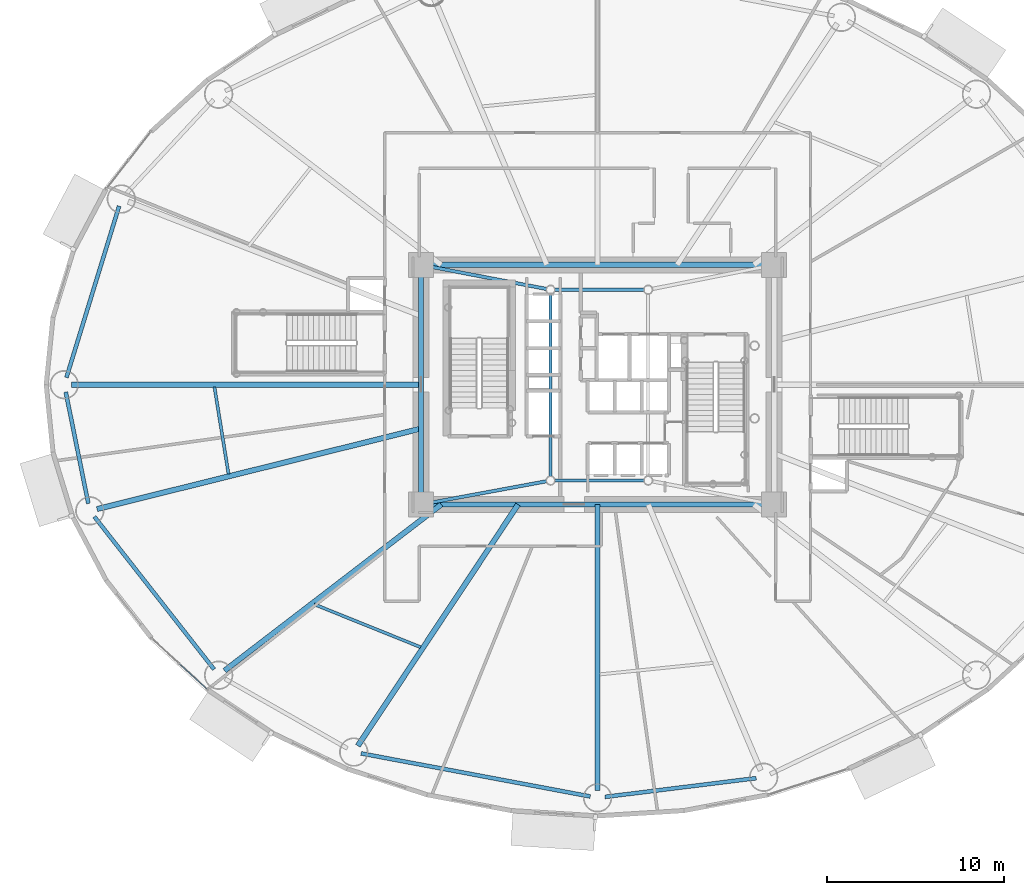
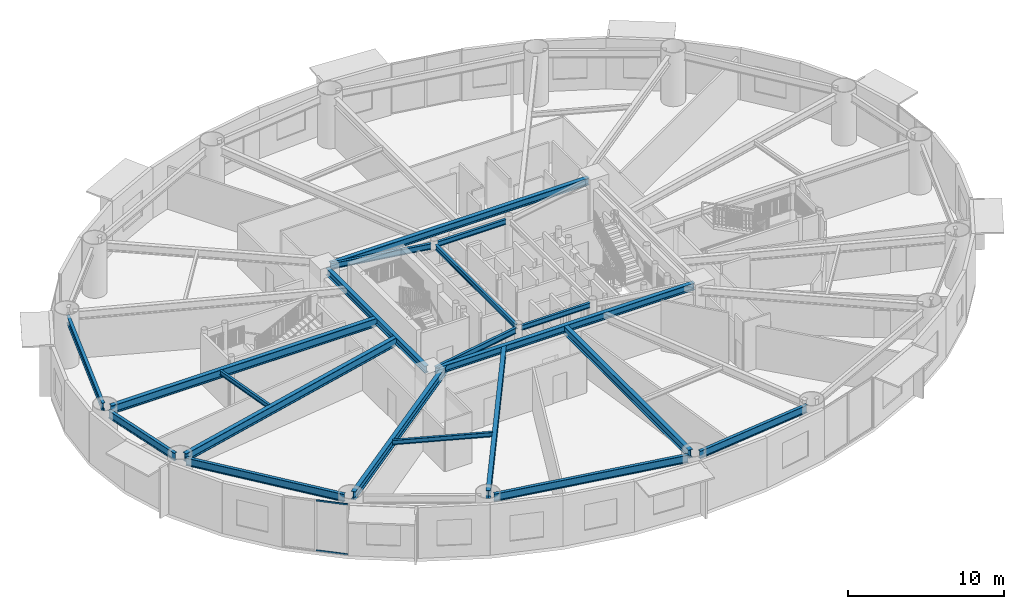
# One storey, part 5 of 29: 20 beams, 2 members, 1 element without a shape of its own.
"""IFC4 building model written with IfcOpenShell, lengths in metres."""

from ifc_helpers import new_model, si_unit, direction, frame, origin, origin_2d, place, context, subcontext, project, spatial, hollow_rectangle, i_section, extrude, source, transform, mapped, material, layer, layer_set, material_profile, profile_set, type_object, element, aggregate, save


model = new_model("IFC4")

# Units and contexts
model_context = context("Model", 3, precision=1e-05, world=origin(), true_north=direction((0.0, 1.0)))
body_context = subcontext(model_context, "Body", "Model", "MODEL_VIEW")
ifc_project = project(units=[si_unit("LENGTHUNIT", "METRE"), si_unit("AREAUNIT", "SQUARE_METRE"), si_unit("VOLUMEUNIT", "CUBIC_METRE"), si_unit("PLANEANGLEUNIT", "RADIAN"), si_unit("MASSUNIT", "GRAM", prefix="KILO")], contexts=[model_context])

# Site, building, storey
site_placement = place(None, origin())
site = spatial("IfcSite", under=ifc_project, at=site_placement, CompositionType="ELEMENT")
building_placement = place(site_placement, origin())
building = spatial("IfcBuilding", under=site, at=building_placement, Name="Linh Dai School and Residence Tower", CompositionType="ELEMENT")
storey_placement = place(building_placement, frame((0.0, 0.0, 45.0)))
storey = spatial("IfcBuildingStorey", under=building, at=storey_placement, Name="L10", CompositionType="ELEMENT", Elevation=45.0)

# Beams
ifc_material_1 = material(Name="Structural Steel S355JR", Category="steel")
ifc_material_profile_1 = material_profile(ifc_material_1, i_section(OverallWidth=0.219970703125, OverallDepth=0.60009765625, WebThickness=0.011962890625, FlangeThickness=0.01904296875, FilletRadius=0.02392578125, at=origin_2d()), Name="IPE 600")
ifc_profile_set_1 = profile_set([ifc_material_profile_1], Name="Structural Steel S355JR")
beam_type_1 = type_object("IfcBeamType", Name="BM-RB60", PredefinedType="BEAM", material=ifc_profile_set_1)
beam_1_placement = place(storey_placement, frame((9.041259765625, 37.062255859375, 3.64990234375), z_axis=(-0.293673329015, -0.95590584046, 0.0), x_axis=(0.95590584046, -0.293673329015, 0.0)))
element("IfcBeam", 1, at=beam_1_placement, inside=storey, type_object=beam_type_1, Name="L10 Perimeter Elliptical Ring Beam 08", PredefinedType="BEAM", context=body_context, shape_type="SweptSolid", body=[
    extrude(i_section(OverallWidth=0.219970703125, OverallDepth=0.60009765625, WebThickness=0.011962890625, FlangeThickness=0.01904296875, FilletRadius=0.02392578125, at=origin_2d()), origin(), (0.0, 0.0, 1.0), 10.1064453125),
])
beam_2_placement = place(storey_placement, frame((6.033447265625, 26.58837890625, 3.64990234375), z_axis=(0.198429171022, -0.980115230005, 0.0), x_axis=(0.980115230005, 0.198429171022, 0.0)))
element("IfcBeam", 2, at=beam_2_placement, inside=storey, type_object=beam_type_1, Name="L10 Perimeter Elliptical Ring Beam 09", PredefinedType="BEAM", context=body_context, shape_type="SweptSolid", body=[
    extrude(i_section(OverallWidth=0.219970703125, OverallDepth=0.60009765625, WebThickness=0.011962890625, FlangeThickness=0.01904296875, FilletRadius=0.02392578125, at=origin_2d()), origin(), (0.0, 0.0, 1.0), 6.41259765625),
])
beam_3_placement = place(storey_placement, frame((7.648193359375, 19.560791015625, 3.64990234375), z_axis=(0.616878670407, -0.787058260866, 0.0), x_axis=(0.787058260866, 0.616878670407, 0.0)))
element("IfcBeam", 3, at=beam_3_placement, inside=storey, type_object=beam_type_1, Name="L10 Perimeter Elliptical Ring Beam 10", PredefinedType="BEAM", context=body_context, shape_type="SweptSolid", body=[
    extrude(i_section(OverallWidth=0.219970703125, OverallDepth=0.60009765625, WebThickness=0.011962890625, FlangeThickness=0.01904296875, FilletRadius=0.02392578125, at=origin_2d()), origin(), (0.0, 0.0, 1.0), 10.926025390625),
])
beam_4_placement = place(storey_placement, frame((22.67431640625, 6.223388671875, 3.64990234375), z_axis=(0.982808389171, -0.184628465236, 0.0), x_axis=(0.184628465236, 0.982808389171, 0.0)))
element("IfcBeam", 4, at=beam_4_placement, inside=storey, type_object=beam_type_1, Name="L10 Perimeter Elliptical Ring Beam 12", PredefinedType="BEAM", context=body_context, shape_type="SweptSolid", body=[
    extrude(i_section(OverallWidth=0.219970703125, OverallDepth=0.60009765625, WebThickness=0.011962890625, FlangeThickness=0.01904296875, FilletRadius=0.02392578125, at=origin_2d()), origin(), (0.0, 0.0, 1.0), 13.138671875),
])
beam_5_placement = place(storey_placement, frame((36.416748046875, 3.771728515625, 3.64990234375), z_axis=(0.99240113372, 0.123044665842, 0.0), x_axis=(-0.123044665842, 0.99240113372, 0.0)))
element("IfcBeam", 5, at=beam_5_placement, inside=storey, type_object=beam_type_1, Name="L10 Perimeter Elliptical Ring Beam 13", PredefinedType="BEAM", context=body_context, shape_type="SweptSolid", body=[
    extrude(i_section(OverallWidth=0.219970703125, OverallDepth=0.60009765625, WebThickness=0.011962890625, FlangeThickness=0.01904296875, FilletRadius=0.02392578125, at=origin_2d()), origin(), (0.0, 0.0, 1.0), 8.58935546875),
])
ifc_material_profile_2 = material_profile(ifc_material_1, i_section(OverallWidth=0.300048828125, OverallDepth=0.550048828125, WebThickness=0.014892578125, FlangeThickness=0.029052734375, FilletRadius=0.027099609375, at=origin_2d()), Name="HEB 550")
ifc_profile_set_2 = profile_set([ifc_material_profile_2], Name="Structural Steel S355JR")
beam_type_2 = type_object("IfcBeamType", Name="BM-RG55", PredefinedType="BEAM", material=ifc_profile_set_2)
for number, where, z_axis, x_axis, name in (
    (6, (26.469970703125, 20.25, 3.675048828125), (1.0, 0.0, 0.0), (0.0, 1.0, 0.0), "L10 Core Perimeter Coupling Girder 1"),
    (7, (45.530029296875, 33.75, 3.675048828125), (-1.0, 0.0, 0.0), (0.0, -1.0, 0.0), "L10 Core Perimeter Coupling Girder 3"),
):
    element("IfcBeam", number, at=place(storey_placement, frame(where, z_axis=z_axis, x_axis=x_axis)), inside=storey, type_object=beam_type_2, Name=name, PredefinedType="BEAM", context=body_context, shape_type="SweptSolid", body=[
        extrude(i_section(OverallWidth=0.300048828125, OverallDepth=0.550048828125, WebThickness=0.014892578125, FlangeThickness=0.029052734375, FilletRadius=0.027099609375, at=origin_2d()), origin(), (0.0, 0.0, 1.0), 19.06005859375),
    ])
beam_6_placement = place(storey_placement, frame((26.050048828125, 33.330078125, 3.675048828125), z_axis=(0.0, -1.0, 0.0), x_axis=(1.0, 0.0, 0.0)))
element("IfcBeam", 8, at=beam_6_placement, inside=storey, type_object=beam_type_2, Name="L10 Core Perimeter Coupling Girder 4", PredefinedType="BEAM", context=body_context, shape_type="SweptSolid", body=[
    extrude(i_section(OverallWidth=0.300048828125, OverallDepth=0.550048828125, WebThickness=0.014892578125, FlangeThickness=0.029052734375, FilletRadius=0.027099609375, at=origin_2d()), origin(), (0.0, 0.0, 1.0), 12.66015625),
])
ifc_material_profile_3 = material_profile(ifc_material_1, i_section(OverallWidth=0.300048828125, OverallDepth=0.64990234375, WebThickness=0.01611328125, FlangeThickness=0.031005859375, FilletRadius=0.027099609375, at=origin_2d()), Name="HEB 650")
ifc_profile_set_3 = profile_set([ifc_material_profile_3], Name="Structural Steel S355JR")
beam_type_3 = type_object("IfcBeamType", Name="BM-RG65", PredefinedType="BEAM", material=ifc_profile_set_3)
beam_7_placement = place(storey_placement, frame((26.050048828125, 27.0, 3.625), z_axis=(-1.0, 0.0, 0.0), x_axis=(0.0, -1.0, 0.0)))
element("IfcBeam", 9, at=beam_7_placement, inside=storey, type_object=beam_type_3, Name="L10 Primary Radial Floor Girder 09", PredefinedType="BEAM", context=body_context, shape_type="SweptSolid", body=[
    extrude(i_section(OverallWidth=0.300048828125, OverallDepth=0.64990234375, WebThickness=0.01611328125, FlangeThickness=0.031005859375, FilletRadius=0.027099609375, at=origin_2d()), origin(), (0.0, 0.0, 1.0), 19.679931640625),
])
beam_8_placement = place(storey_placement, frame((26.050048828125, 24.52783203125, 3.625), z_axis=(-0.970493481328, -0.241127357843, 0.0), x_axis=(0.241127357843, -0.970493481328, 0.0)))
element("IfcBeam", 10, at=beam_8_placement, inside=storey, type_object=beam_type_3, Name="L10 Primary Radial Floor Girder 10", PredefinedType="BEAM", context=body_context, shape_type="SweptSolid", body=[
    extrude(i_section(OverallWidth=0.300048828125, OverallDepth=0.64990234375, WebThickness=0.01611328125, FlangeThickness=0.031005859375, FilletRadius=0.027099609375, at=origin_2d()), origin(), (0.0, 0.0, 1.0), 18.80810546875),
])
beam_9_placement = place(storey_placement, frame((27.195068359375, 20.25, 3.625), z_axis=(-0.793637764155, -0.608390581212, 0.0), x_axis=(0.608390581212, -0.793637764155, 0.0)))
element("IfcBeam", 11, at=beam_9_placement, inside=storey, type_object=beam_type_3, Name="L10 Primary Radial Floor Girder 11", PredefinedType="BEAM", context=body_context, shape_type="SweptSolid", body=[
    extrude(i_section(OverallWidth=0.300048828125, OverallDepth=0.64990234375, WebThickness=0.01611328125, FlangeThickness=0.031005859375, FilletRadius=0.027099609375, at=origin_2d()), origin(), (0.0, 0.0, 1.0), 15.390625),
])
beam_10_placement = place(storey_placement, frame((31.52001953125, 20.25, 3.625), z_axis=(-0.55300421354, -0.833178456158, 0.0), x_axis=(0.833178456158, -0.55300421354, 0.0)))
element("IfcBeam", 12, at=beam_10_placement, inside=storey, type_object=beam_type_3, Name="L10 Primary Radial Floor Girder 12", PredefinedType="BEAM", context=body_context, shape_type="SweptSolid", body=[
    extrude(i_section(OverallWidth=0.300048828125, OverallDepth=0.64990234375, WebThickness=0.01611328125, FlangeThickness=0.031005859375, FilletRadius=0.027099609375, at=origin_2d()), origin(), (0.0, 0.0, 1.0), 16.322021484375),
])
beam_11_placement = place(storey_placement, frame((36.0, 20.25, 3.625), z_axis=(0.0, -1.0, 0.0), x_axis=(1.0, 0.0, 0.0)))
element("IfcBeam", 13, at=beam_11_placement, inside=storey, type_object=beam_type_3, Name="L10 Primary Radial Floor Girder 13", PredefinedType="BEAM", context=body_context, shape_type="SweptSolid", body=[
    extrude(i_section(OverallWidth=0.300048828125, OverallDepth=0.64990234375, WebThickness=0.01611328125, FlangeThickness=0.031005859375, FilletRadius=0.027099609375, at=origin_2d()), origin(), (0.0, 0.0, 1.0), 16.110107421875),
])
ifc_material_profile_4 = material_profile(ifc_material_1, i_section(OverallWidth=0.169921875, OverallDepth=0.360107421875, WebThickness=0.008056640625, FlangeThickness=0.0126953125, FilletRadius=0.01806640625, at=origin_2d()), Name="IPE 360")
ifc_profile_set_4 = profile_set([ifc_material_profile_4], Name="Structural Steel S355JR")
beam_type_4 = type_object("IfcBeamType", Name="BM-SB36", PredefinedType="BEAM", material=ifc_profile_set_4)
beam_12_placement = place(storey_placement, frame((14.412841796875, 26.87158203125, 3.77001953125), z_axis=(0.159655745546, -0.987172752316, 0.0), x_axis=(0.987172752316, 0.159655745546, 0.0)))
element("IfcBeam", 14, at=beam_12_placement, inside=storey, type_object=beam_type_4, Name="L10 Secondary Circumferential Floor Beam 05", PredefinedType="BEAM", context=body_context, shape_type="SweptSolid", body=[
    extrude(i_section(OverallWidth=0.169921875, OverallDepth=0.360107421875, WebThickness=0.008056640625, FlangeThickness=0.0126953125, FilletRadius=0.01806640625, at=origin_2d()), origin(), (0.0, 0.0, 1.0), 4.96826171875),
])
beam_13_placement = place(storey_placement, frame((20.037841796875, 14.622314453125, 3.77001953125), z_axis=(0.927532778422, -0.3737418159, 0.0), x_axis=(0.3737418159, 0.927532778422, 0.0)))
element("IfcBeam", 15, at=beam_13_placement, inside=storey, type_object=beam_type_4, Name="L10 Secondary Circumferential Floor Beam 06", PredefinedType="BEAM", context=body_context, shape_type="SweptSolid", body=[
    extrude(i_section(OverallWidth=0.169921875, OverallDepth=0.360107421875, WebThickness=0.008056640625, FlangeThickness=0.0126953125, FilletRadius=0.01806640625, at=origin_2d()), origin(), (0.0, 0.0, 1.0), 6.459716796875),
])
ifc_material_profile_5 = material_profile(ifc_material_1, i_section(OverallWidth=0.179931640625, OverallDepth=0.39990234375, WebThickness=0.008544921875, FlangeThickness=0.013427734375, FilletRadius=0.02099609375, at=origin_2d()), Name="IPE 400")
ifc_profile_set_5 = profile_set([ifc_material_profile_5], Name="Structural Steel S355JR")
beam_type_5 = type_object("IfcBeamType", Name="BM-SB40", PredefinedType="BEAM", material=ifc_profile_set_5)
for number, where, z_axis, x_axis, name in (
    (16, (33.573974609375, 21.60009765625, 3.75), (1.0, 0.0, 0.0), (0.0, 1.0, 0.0), "L10 Core Mast Pier Tie Beam 1"),
    (17, (38.6259765625, 32.35009765625, 3.75), (-1.0, 0.0, 0.0), (0.0, -1.0, 0.0), "L10 Core Mast Pier Tie Beam 3"),
):
    element("IfcBeam", number, at=place(storey_placement, frame(where, z_axis=z_axis, x_axis=x_axis)), inside=storey, type_object=beam_type_5, Name=name, PredefinedType="BEAM", context=body_context, shape_type="SweptSolid", body=[
        extrude(i_section(OverallWidth=0.179931640625, OverallDepth=0.39990234375, WebThickness=0.008544921875, FlangeThickness=0.013427734375, FilletRadius=0.02099609375, at=origin_2d()), origin(), (0.0, 0.0, 1.0), 5.052001953125),
    ])
beam_14_placement = place(storey_placement, frame((33.35009765625, 32.1259765625, 3.75), z_axis=(0.0, -1.0, 0.0), x_axis=(1.0, 0.0, 0.0)))
element("IfcBeam", 18, at=beam_14_placement, inside=storey, type_object=beam_type_5, Name="L10 Core Mast Pier Tie Beam 4", PredefinedType="BEAM", context=body_context, shape_type="SweptSolid", body=[
    extrude(i_section(OverallWidth=0.179931640625, OverallDepth=0.39990234375, WebThickness=0.008544921875, FlangeThickness=0.013427734375, FilletRadius=0.02099609375, at=origin_2d()), origin(), (0.0, 0.0, 1.0), 10.302001953125),
])
ifc_material_profile_6 = material_profile(ifc_material_1, i_section(OverallWidth=0.18994140625, OverallDepth=0.449951171875, WebThickness=0.009521484375, FlangeThickness=0.0146484375, FilletRadius=0.02099609375, at=origin_2d()), Name="IPE 450")
ifc_profile_set_6 = profile_set([ifc_material_profile_6], Name="Structural Steel S355JR")
beam_type_6 = type_object("IfcBeamType", Name="BM-SB45", PredefinedType="BEAM", material=ifc_profile_set_6)
beam_15_placement = place(storey_placement, frame((26.462890625, 20.326416015625, 3.72509765625), z_axis=(0.983326152819, 0.18185070025, 0.0), x_axis=(-0.18185070025, 0.983326152819, 0.0)))
element("IfcBeam", 19, at=beam_15_placement, inside=storey, type_object=beam_type_6, Name="L10 Core Corner-to-Mast Pier Beam 1", PredefinedType="BEAM", context=body_context, shape_type="SweptSolid", body=[
    extrude(i_section(OverallWidth=0.18994140625, OverallDepth=0.449951171875, WebThickness=0.009521484375, FlangeThickness=0.0146484375, FilletRadius=0.02099609375, at=origin_2d()), origin(), (0.0, 0.0, 1.0), 6.77978515625),
])
beam_16_placement = place(storey_placement, frame((26.46240234375, 33.6708984375, 3.72509765625), z_axis=(0.982100456787, -0.188357884832, 0.0), x_axis=(0.188357884832, 0.982100456787, 0.0)))
element("IfcBeam", 20, at=beam_16_placement, inside=storey, type_object=beam_type_6, Name="L10 Core Corner-to-Mast Pier Beam 4", PredefinedType="BEAM", context=body_context, shape_type="SweptSolid", body=[
    extrude(i_section(OverallWidth=0.18994140625, OverallDepth=0.449951171875, WebThickness=0.009521484375, FlangeThickness=0.0146484375, FilletRadius=0.02099609375, at=origin_2d()), origin(), (0.0, 0.0, 1.0), 6.789306640625),
])

# Curtain wall, members
ifc_material_2 = material(Name="Aluminium Anodised Curtain Wall", Category="aluminium")
ifc_layer = layer(ifc_material_2, 0.159912109375)
ifc_layer_set = layer_set([ifc_layer], Name="Aluminium Anodised Curtain Wall")
curtain_wall_type = type_object("IfcCurtainWallType", Name="CW-SYS-3", PredefinedType="USERDEFINED", material=ifc_layer_set)
curtain_wall_placement = place(storey_placement, origin())
curtain_wall = element("IfcCurtainWall", 21, at=curtain_wall_placement, inside=storey, type_object=curtain_wall_type, Name="L10 CW3 Curtain Wall 25", ObjectType="RIBBON CURTAIN WALL", PredefinedType="USERDEFINED")
ifc_material_3 = material(Name="Aluminium Alloy 6063-T6", Category="aluminium")
ifc_material_profile_7 = material_profile(ifc_material_3, hollow_rectangle(XDim=0.054931640625, YDim=0.1201171875, WallThickness=0.00390625, at=origin_2d()), Name="RHS 120x55x4")
ifc_profile_set_7 = profile_set([ifc_material_profile_7], Name="Aluminium Alloy 6063-T6")
member_type = type_object("IfcMemberType", Name="CW-SYS-3-TRN", PredefinedType="USERDEFINED", material=ifc_profile_set_7)
shared_shape = source(origin(), body_context, "Body", "SweptSolid", [
    extrude(hollow_rectangle(XDim=0.054931640625, YDim=0.1201171875, WallThickness=0.00390625, at=origin_2d()), origin(), (0.0, 0.0, 1.0), 2.064453125),
])
member_1_placement = place(storey_placement, frame((13.974853515625, 9.861083984375, 0.027587890625), z_axis=(-0.737129594686, 0.675751404466, 0.0), x_axis=(-0.675751404466, -0.737129594686, 0.0)))
member_1 = element("IfcMember", 22, at=member_1_placement, type_object=member_type, Name="CW3 transom 1.1", ObjectType="TRANSOM", PredefinedType="USERDEFINED", context=body_context, shape_type="MappedRepresentation", body=[
    mapped(shared_shape, transform((0.0, 0.0, 0.0), x_axis=(1.0, 0.0, 0.0), y_axis=(0.0, 1.0, 0.0), z_axis=(0.0, 0.0, 1.0), scale=1.0)),
])
member_2_placement = place(storey_placement, frame((13.974853515625, 9.861083984375, 3.922607421875), z_axis=(-0.737129594686, 0.675751404466, 0.0), x_axis=(-0.675751404466, -0.737129594686, 0.0)))
member_2 = element("IfcMember", 23, at=member_2_placement, type_object=member_type, Name="CW3 transom 1.2", ObjectType="TRANSOM", PredefinedType="USERDEFINED", context=body_context, shape_type="MappedRepresentation", body=[
    mapped(shared_shape, transform((0.0, 0.0, 0.0), x_axis=(1.0, 0.0, 0.0), y_axis=(0.0, 1.0, 0.0), z_axis=(0.0, 0.0, 1.0), scale=1.0)),
])
aggregate(curtain_wall, [member_1, member_2])

save(model, "model.ifc")
